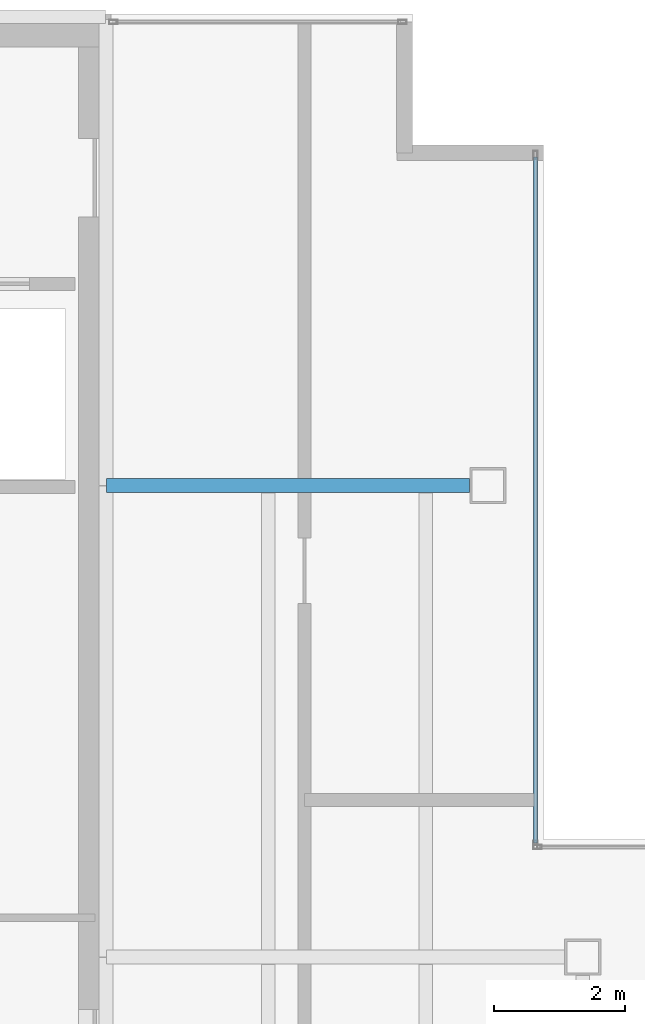
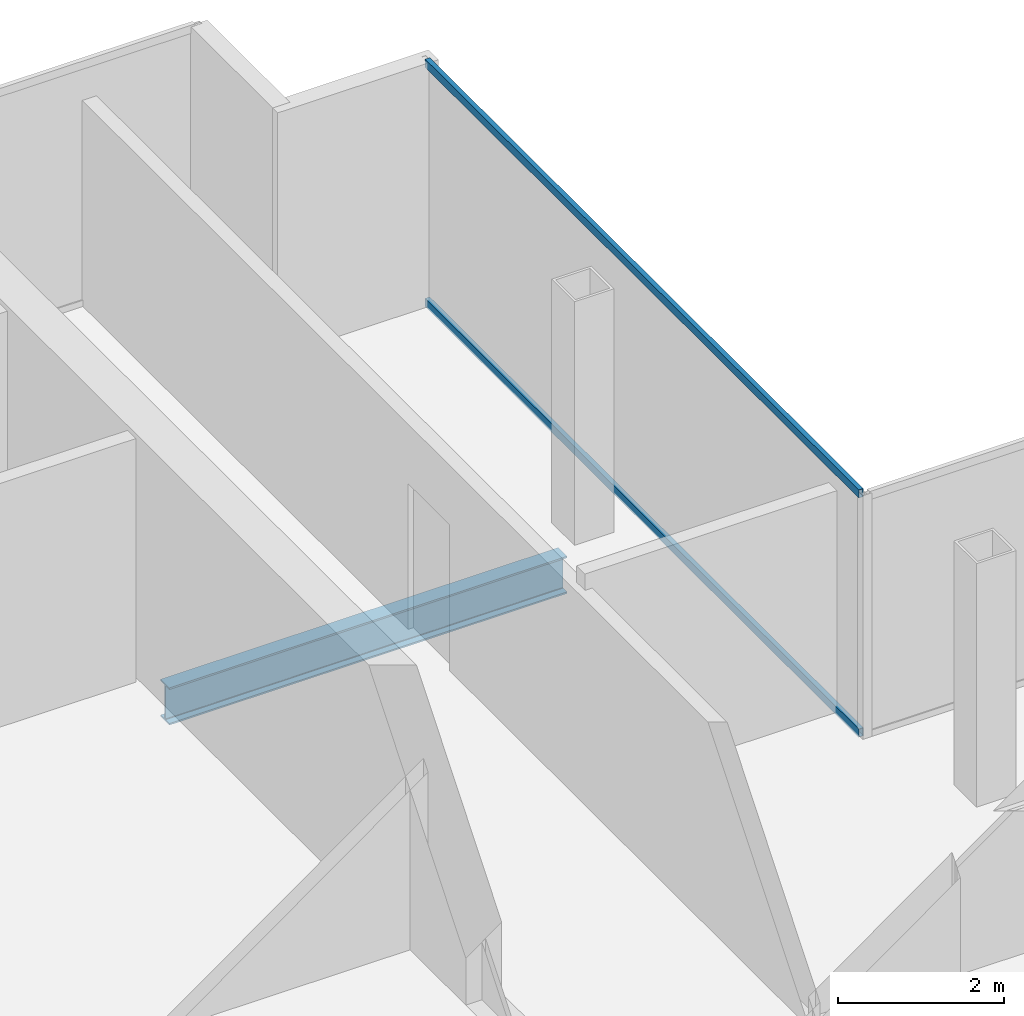
# One storey, part 10 of 15: 2 members, 1 beam, 1 element without a shape of its own.
"""IFC4 building model written with IfcOpenShell, lengths in metres."""

from ifc_helpers import new_model, si_unit, direction, frame, origin, origin_2d, place, context, subcontext, project, spatial, hollow_rectangle, i_section, extrude, material, material_profile, profile_set, type_object, element, aggregate, save


model = new_model("IFC4")

# Units and contexts
model_context = context("Model", 3, precision=1e-05, world=origin(), true_north=direction((0.0, 1.0)))
body_context = subcontext(model_context, "Body", "Model", "MODEL_VIEW")
ifc_project = project(units=[si_unit("LENGTHUNIT", "METRE"), si_unit("AREAUNIT", "SQUARE_METRE"), si_unit("VOLUMEUNIT", "CUBIC_METRE"), si_unit("PLANEANGLEUNIT", "RADIAN"), si_unit("MASSUNIT", "GRAM", prefix="KILO")], contexts=[model_context])

# Site, building, storey
site_placement = place(None, origin())
site = spatial("IfcSite", under=ifc_project, at=site_placement, CompositionType="ELEMENT")
building_placement = place(site_placement, origin())
building = spatial("IfcBuilding", under=site, at=building_placement, Name="Cobrela Telecom Tower", CompositionType="ELEMENT")
storey_placement = place(building_placement, frame((0.0, 0.0, 297.5)))
storey = spatial("IfcBuildingStorey", under=building, at=storey_placement, Name="L78", CompositionType="ELEMENT", Elevation=297.5)

# Beam
ifc_material_1 = material(Name="Steel ASTM A992 Grade 50", Category="steel")
ifc_material_profile_1 = material_profile(ifc_material_1, i_section(OverallWidth=0.212890625, OverallDepth=0.549072265625, WebThickness=0.0146484375, FlangeThickness=0.023681640625, FilletRadius=0.013916015625, at=origin_2d()), Name="W21X93")
ifc_profile_set_1 = profile_set([ifc_material_profile_1], Name="Steel ASTM A992 Grade 50")
beam_type = type_object("IfcBeamType", Name="BM-GIRD-08", PredefinedType="USERDEFINED", material=ifc_profile_set_1)
beam_placement = place(storey_placement, frame((14.324951171875, 28.800048828125, -0.534423828125), z_axis=(1.0, 0.0, 0.0), x_axis=(0.0, 1.0, 0.0)))
element("IfcBeam", 1, at=beam_placement, inside=storey, type_object=beam_type, Name="L78 Primary Girder X06", ObjectType="GIRDER", PredefinedType="USERDEFINED", context=body_context, shape_type="SweptSolid", body=[
    extrude(i_section(OverallWidth=0.212890625, OverallDepth=0.549072265625, WebThickness=0.0146484375, FlangeThickness=0.023681640625, FilletRadius=0.013916015625, at=origin_2d()), origin(), (0.0, 0.0, 1.0), 5.545166015625),
])

# Curtain wall, members
ifc_material_2 = material(Name="Anodized Bronze Aluminium 6063-T6", Category="aluminium")
curtain_wall_type = type_object("IfcCurtainWallType", Name="CW-SYS-DRUM", PredefinedType="USERDEFINED", material=ifc_material_2)
curtain_wall_placement = place(storey_placement, origin())
curtain_wall = element("IfcCurtainWall", 2, at=curtain_wall_placement, inside=storey, type_object=curtain_wall_type, Name="L78 Unitised Bronze Curtain Wall 04", ObjectType="UNITISED CURTAIN WALL", PredefinedType="USERDEFINED")
ifc_material_profile_2 = material_profile(ifc_material_2, hollow_rectangle(XDim=0.06494140625, YDim=0.1201171875, WallThickness=0.00390625, at=origin_2d()), Name="ALU 65x120x4")
ifc_profile_set_2 = profile_set([ifc_material_profile_2], Name="Anodized Bronze Aluminium 6063-T6")
member_type = type_object("IfcMemberType", Name="CW-SYS-DRUM-TRN", PredefinedType="USERDEFINED", material=ifc_profile_set_2)
member_1_placement = place(storey_placement, frame((20.8798828125, 33.81494140625, 0.032470703125), z_axis=(0.0, -1.0, 0.0), x_axis=(1.0, 0.0, 0.0)))
member_1 = element("IfcMember", 3, at=member_1_placement, type_object=member_type, Name="CW-DRUM transom 1.1", ObjectType="TRANSOM", PredefinedType="USERDEFINED", context=body_context, shape_type="SweptSolid", body=[
    extrude(hollow_rectangle(XDim=0.06494140625, YDim=0.1201171875, WallThickness=0.00390625, at=origin_2d()), origin(), (0.0, 0.0, 1.0), 10.469970703125),
])
member_2_placement = place(storey_placement, frame((20.8798828125, 33.81494140625, 3.5576171875), z_axis=(0.0, -1.0, 0.0), x_axis=(1.0, 0.0, 0.0)))
member_2 = element("IfcMember", 4, at=member_2_placement, type_object=member_type, Name="CW-DRUM transom 1.2", ObjectType="TRANSOM", PredefinedType="USERDEFINED", context=body_context, shape_type="SweptSolid", body=[
    extrude(hollow_rectangle(XDim=0.06494140625, YDim=0.1201171875, WallThickness=0.00390625, at=origin_2d()), origin(), (0.0, 0.0, 1.0), 10.469970703125),
])
aggregate(curtain_wall, [member_1, member_2])

save(model, "model.ifc")
